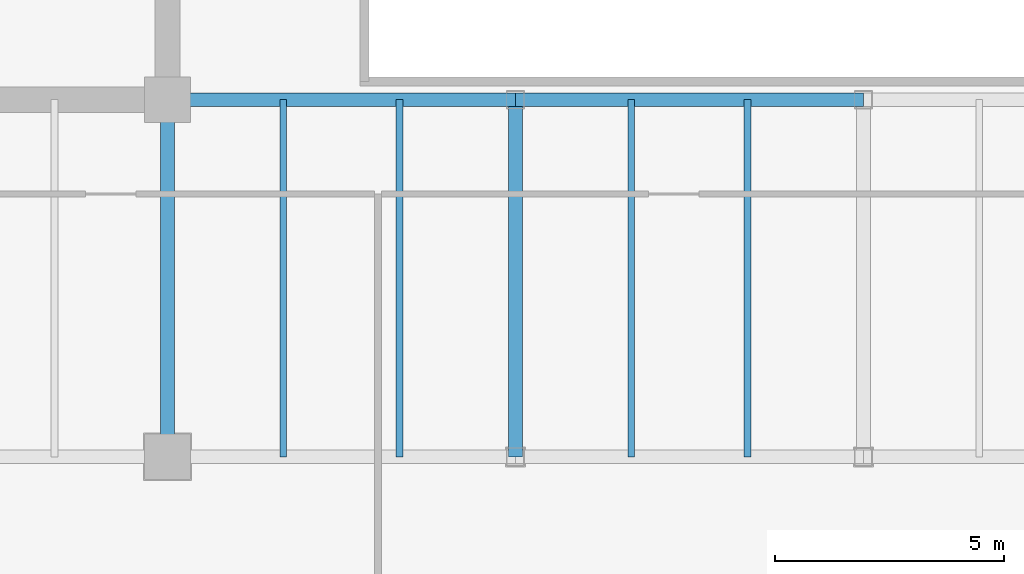
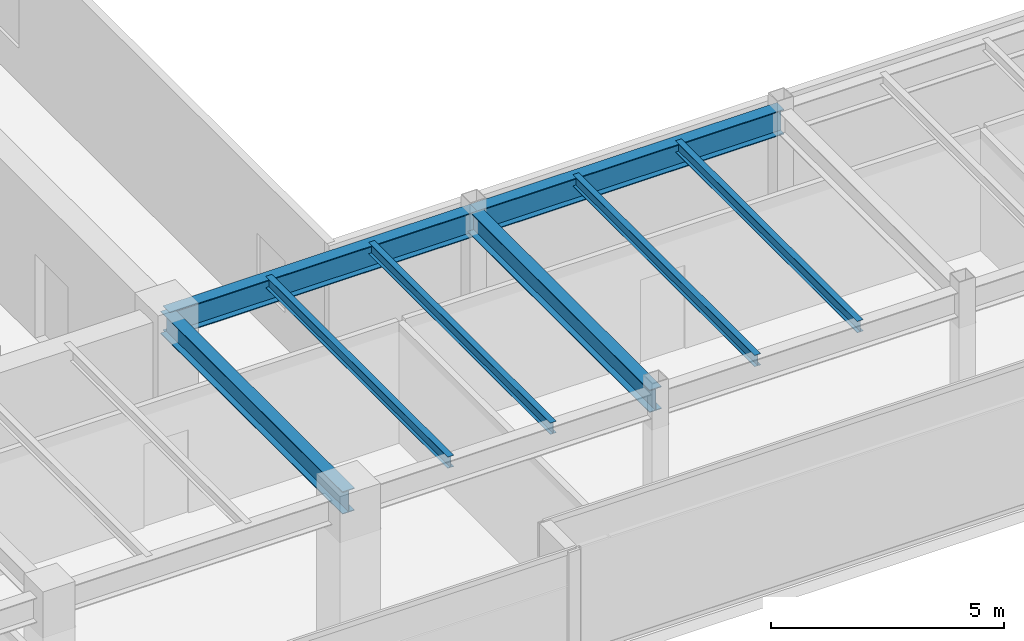
# One storey, part 8 of 35: 8 beams.
"""IFC4 building model written with IfcOpenShell, lengths in metres."""

from ifc_helpers import new_model, si_unit, direction, frame, origin, origin_2d, place, context, subcontext, project, spatial, i_section, extrude, source, transform, mapped, material, material_profile, profile_set, type_object, type_shapes, element, save


model = new_model("IFC4")

# Units and contexts
model_context = context("Model", 3, precision=1e-05, world=origin(), true_north=direction((0.0, 1.0)))
body_context = subcontext(model_context, "Body", "Model", "MODEL_VIEW")
ifc_project = project(units=[si_unit("LENGTHUNIT", "METRE"), si_unit("AREAUNIT", "SQUARE_METRE"), si_unit("VOLUMEUNIT", "CUBIC_METRE"), si_unit("PLANEANGLEUNIT", "RADIAN"), si_unit("MASSUNIT", "GRAM", prefix="KILO")], contexts=[model_context])

# Site, building, storey
site_placement = place(None, origin())
site = spatial("IfcSite", under=ifc_project, at=site_placement, CompositionType="ELEMENT")
building_placement = place(site_placement, origin())
building = spatial("IfcBuilding", under=site, at=building_placement, Name="Haelvirn Gate Laboratories", CompositionType="ELEMENT")
storey_placement = place(building_placement, frame((0.0, 0.0, 221.89990234375)))
storey = spatial("IfcBuildingStorey", under=building, at=storey_placement, Name="L53", CompositionType="ELEMENT", Elevation=221.89990234375)

# Beams
ifc_material = material(Name="Steel SM355", Category="steel")
ifc_material_profile_1 = material_profile(ifc_material, i_section(OverallWidth=0.14990234375, OverallDepth=0.300048828125, WebThickness=0.006591796875, FlangeThickness=0.009033203125, at=origin_2d()), Name="H-300x150x6.5x9")
ifc_profile_set_1 = profile_set([ifc_material_profile_1], Name="Steel SM355")
beam_type_1 = type_object("IfcBeamType", Name="BM-J-300", PredefinedType="JOIST", material=ifc_profile_set_1)
shared_shape_1 = source(origin(), body_context, "Body", "SweptSolid", [
    extrude(i_section(OverallWidth=0.14990234375, OverallDepth=0.300048828125, WebThickness=0.006591796875, FlangeThickness=0.009033203125, at=origin_2d()), origin(), (0.0, 0.0, 1.0), 7.800048828125),
])
type_shapes(beam_type_1, [shared_shape_1])
for number, where, z_axis, x_axis, name in (
    (1, (24.72998046875, 7.0, 3.650146484375), (0.0, 1.0, 0.0), (-1.0, 0.0, 0.0), "L53 Composite Lab Joist South X24.73"),
    (2, (27.27001953125, 7.0, 3.650146484375), (0.0, 1.0, 0.0), (-1.0, 0.0, 0.0), "L53 Composite Lab Joist South X27.27"),
    (3, (32.330078125, 7.0, 3.650146484375), (0.0, 1.0, 0.0), (-1.0, 0.0, 0.0), "L53 Composite Lab Joist South X32.33"),
    (4, (34.8701171875, 7.0, 3.650146484375), (0.0, 1.0, 0.0), (-1.0, 0.0, 0.0), "L53 Composite Lab Joist South X34.87"),
):
    element("IfcBeam", number, at=place(storey_placement, frame(where, z_axis=z_axis, x_axis=x_axis)), inside=storey, type_object=beam_type_1, Name=name, PredefinedType="JOIST", context=body_context, shape_type="MappedRepresentation", body=[
        mapped(shared_shape_1, transform((0.0, 0.0, 0.0), scale=1.0)),
    ])
ifc_material_profile_2 = material_profile(ifc_material, i_section(OverallWidth=0.300048828125, OverallDepth=0.587890625, WebThickness=0.011962890625, FlangeThickness=0.02001953125, at=origin_2d()), Name="H-588x300x12x20")
ifc_profile_set_2 = profile_set([ifc_material_profile_2], Name="Steel SM355")
beam_type_2 = type_object("IfcBeamType", Name="BM-G-588", PredefinedType="BEAM", material=ifc_profile_set_2)
shared_shape_2 = source(origin(), body_context, "Body", "SweptSolid", [
    extrude(i_section(OverallWidth=0.300048828125, OverallDepth=0.587890625, WebThickness=0.011962890625, FlangeThickness=0.02001953125, at=origin_2d()), origin(), (0.0, 0.0, 1.0), 7.800048828125),
])
type_shapes(beam_type_2, [shared_shape_2])
for number, where, z_axis, x_axis, name in (
    (5, (22.199951171875, 7.0, 3.506103515625), (0.0, 1.0, 0.0), (-1.0, 0.0, 0.0), "L53 Frame Girder X22.2 (7.0-14.8)"),
    (6, (29.800048828125, 7.0, 3.506103515625), (0.0, 1.0, 0.0), (-1.0, 0.0, 0.0), "L53 Frame Girder X29.8 (7.0-14.8)"),
):
    element("IfcBeam", number, at=place(storey_placement, frame(where, z_axis=z_axis, x_axis=x_axis)), inside=storey, type_object=beam_type_2, Name=name, PredefinedType="BEAM", context=body_context, shape_type="MappedRepresentation", body=[
        mapped(shared_shape_2, transform((0.0, 0.0, 0.0), scale=1.0)),
    ])
ifc_material_profile_3 = material_profile(ifc_material, i_section(OverallWidth=0.300048828125, OverallDepth=0.64990234375, WebThickness=0.012939453125, FlangeThickness=0.02197265625, at=origin_2d()), Name="H-650x300x13x22")
ifc_profile_set_3 = profile_set([ifc_material_profile_3], Name="Steel SM355")
beam_type_3 = type_object("IfcBeamType", Name="BM-G-650", PredefinedType="BEAM", material=ifc_profile_set_3)
shared_shape_3 = source(origin(), body_context, "Body", "SweptSolid", [
    extrude(i_section(OverallWidth=0.300048828125, OverallDepth=0.64990234375, WebThickness=0.012939453125, FlangeThickness=0.02197265625, at=origin_2d()), origin(), (0.0, 0.0, 1.0), 7.60009765625),
])
beam_1_placement = place(storey_placement, frame((22.199951171875, 14.800048828125, 3.47509765625), z_axis=(1.0, 0.0, 0.0), x_axis=(0.0, 1.0, 0.0)))
element("IfcBeam", 7, at=beam_1_placement, inside=storey, type_object=beam_type_3, Name="L53 Primary Girder Y14.8 (22.2-29.8)", PredefinedType="BEAM", context=body_context, shape_type="MappedRepresentation", body=[
    mapped(shared_shape_3, transform((0.0, 0.0, 0.0), scale=1.0)),
])
shared_shape_4 = source(origin(), body_context, "Body", "SweptSolid", [
    extrude(i_section(OverallWidth=0.300048828125, OverallDepth=0.64990234375, WebThickness=0.012939453125, FlangeThickness=0.02197265625, at=origin_2d()), origin(), (0.0, 0.0, 1.0), 7.599853515625),
])
type_shapes(beam_type_3, [shared_shape_3, shared_shape_4])
beam_2_placement = place(storey_placement, frame((29.800048828125, 14.800048828125, 3.47509765625), z_axis=(1.0, 0.0, 0.0), x_axis=(0.0, 1.0, 0.0)))
element("IfcBeam", 8, at=beam_2_placement, inside=storey, type_object=beam_type_3, Name="L53 Primary Girder Y14.8 (29.8-37.4)", PredefinedType="BEAM", context=body_context, shape_type="MappedRepresentation", body=[
    mapped(shared_shape_4, transform((0.0, 0.0, 0.0), scale=1.0)),
])

save(model, "model.ifc")
